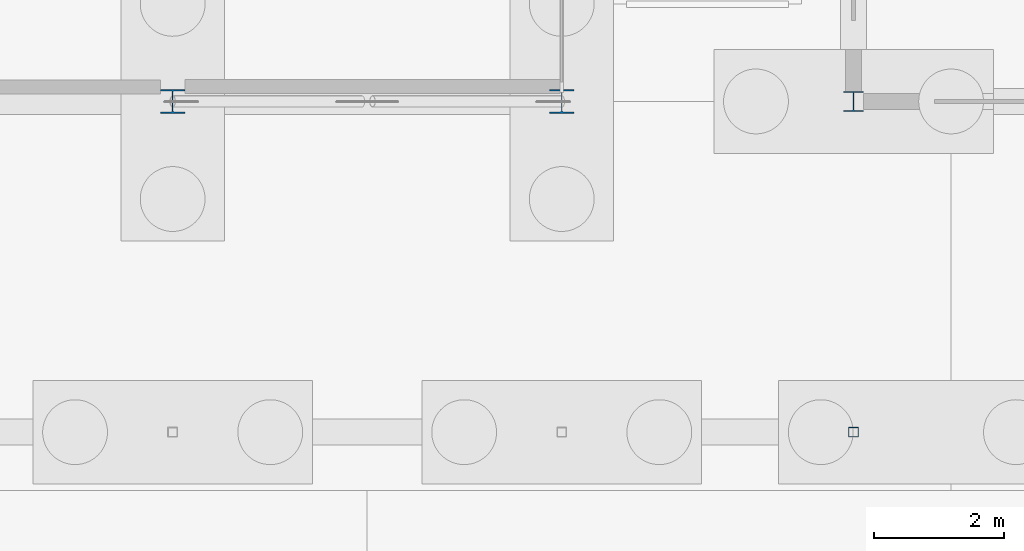
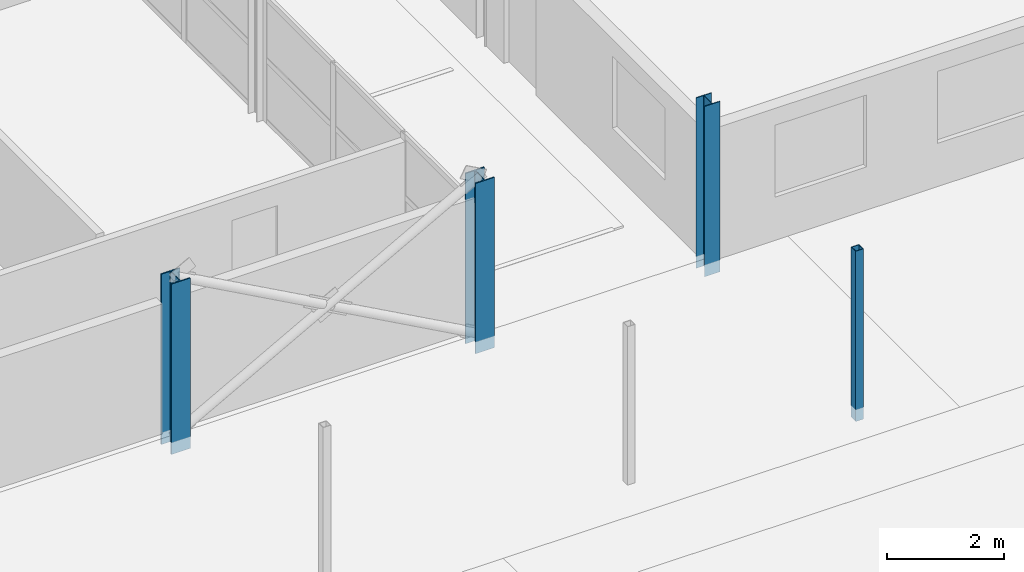
# One storey, part 14 of 130: 4 columns.
"""IFC4 building model written with IfcOpenShell, lengths in metres."""

from ifc_helpers import new_model, si_unit, direction, frame, origin, origin_2d, place, context, subcontext, project, spatial, hollow_rectangle, i_section, extrude, material, material_profile, profile_set, type_object, element, save


model = new_model("IFC4")

# Units and contexts
model_context = context("Model", 3, precision=1e-05, world=origin(), true_north=direction((0.0, 1.0)))
body_context = subcontext(model_context, "Body", "Model", "MODEL_VIEW")
ifc_project = project(units=[si_unit("LENGTHUNIT", "METRE"), si_unit("AREAUNIT", "SQUARE_METRE"), si_unit("VOLUMEUNIT", "CUBIC_METRE"), si_unit("PLANEANGLEUNIT", "RADIAN"), si_unit("MASSUNIT", "GRAM", prefix="KILO")], contexts=[model_context])

# Site, building, storey
site_placement = place(None, origin())
site = spatial("IfcSite", under=ifc_project, at=site_placement, CompositionType="ELEMENT")
building_placement = place(site_placement, origin())
building = spatial("IfcBuilding", under=site, at=building_placement, Name="Parallax Yard Mobility Hub", CompositionType="ELEMENT")
storey_placement = place(building_placement, origin())
storey = spatial("IfcBuildingStorey", under=building, at=storey_placement, Name="L00", CompositionType="ELEMENT", Elevation=0.0)

# Columns
ifc_material_1 = material(Name="Steel ASTM A500 Gr C", Category="steel")
ifc_material_profile_1 = material_profile(ifc_material_1, hollow_rectangle(XDim=0.15234375, YDim=0.15234375, WallThickness=0.009521484375, at=origin_2d()), Name="HSS152x152x9.5")
ifc_profile_set_1 = profile_set([ifc_material_profile_1], Name="Steel ASTM A500 Gr C")
column_type_1 = type_object("IfcColumnType", Name="Roof column HSS152x152x9.5", PredefinedType="COLUMN", material=ifc_profile_set_1)
column_1_placement = place(storey_placement, frame((97.5, 2.39990234375, -0.25), z_axis=(0.0, 0.0, 1.0), x_axis=(1.0, 0.0, 0.0)))
element("IfcColumn", 1, at=column_1_placement, inside=storey, type_object=column_type_1, Name="Arcade column V6 1 level L00", PredefinedType="COLUMN", context=body_context, shape_type="SweptSolid", body=[
    extrude(hollow_rectangle(XDim=0.15234375, YDim=0.15234375, WallThickness=0.009521484375, at=origin_2d()), origin(), (0.0, 0.0, 1.0), 3.550048828125),
])
ifc_material_2 = material(Name="Steel ASTM A992", Category="steel")
ifc_material_profile_2 = material_profile(ifc_material_2, i_section(OverallWidth=0.304931640625, OverallDepth=0.306884765625, WebThickness=0.010009765625, FlangeThickness=0.015380859375, FilletRadius=0.01513671875, at=origin_2d()), Name="W310x97")
ifc_profile_set_2 = profile_set([ifc_material_profile_2], Name="Steel ASTM A992")
column_type_2 = type_object("IfcColumnType", Name="W310x97 column", PredefinedType="COLUMN", material=ifc_profile_set_2)
column_2_placement = place(storey_placement, frame((97.5, 7.5, -0.25), z_axis=(0.0, 0.0, 1.0), x_axis=(1.0, 0.0, 0.0)))
element("IfcColumn", 2, at=column_2_placement, inside=storey, type_object=column_type_2, Name="Column C1 level L00 at B/14 of mobility service centre and workshops", PredefinedType="COLUMN", context=body_context, shape_type="SweptSolid", body=[
    extrude(i_section(OverallWidth=0.304931640625, OverallDepth=0.306884765625, WebThickness=0.010009765625, FlangeThickness=0.015380859375, FilletRadius=0.01513671875, at=origin_2d()), origin(), (0.0, 0.0, 1.0), 3.550048828125),
])
ifc_material_profile_3 = material_profile(ifc_material_2, i_section(OverallWidth=0.373046875, OverallDepth=0.367919921875, WebThickness=0.014892578125, FlangeThickness=0.02392578125, FilletRadius=0.01513671875, at=origin_2d()), Name="W360x179")
ifc_profile_set_3 = profile_set([ifc_material_profile_3], Name="Steel ASTM A992")
column_type_3 = type_object("IfcColumnType", Name="W360x179 column", PredefinedType="COLUMN", material=ifc_profile_set_3)
for number, where, z_axis, x_axis, name in (
    (3, (87.0, 7.5, -0.25), (0.0, 0.0, 1.0), (1.0, 0.0, 0.0), "Column C7 level L00 at F14/B of bus and taxi deck"),
    (4, (93.0, 7.5, -0.25), (0.0, 0.0, 1.0), (1.0, 0.0, 0.0), "Column C7 level L00 at F15/B of bus and taxi deck"),
):
    element("IfcColumn", number, at=place(storey_placement, frame(where, z_axis=z_axis, x_axis=x_axis)), inside=storey, type_object=column_type_3, Name=name, PredefinedType="COLUMN", context=body_context, shape_type="SweptSolid", body=[
        extrude(i_section(OverallWidth=0.373046875, OverallDepth=0.367919921875, WebThickness=0.014892578125, FlangeThickness=0.02392578125, FilletRadius=0.01513671875, at=origin_2d()), origin(), (0.0, 0.0, 1.0), 3.550048828125),
    ])

save(model, "model.ifc")
